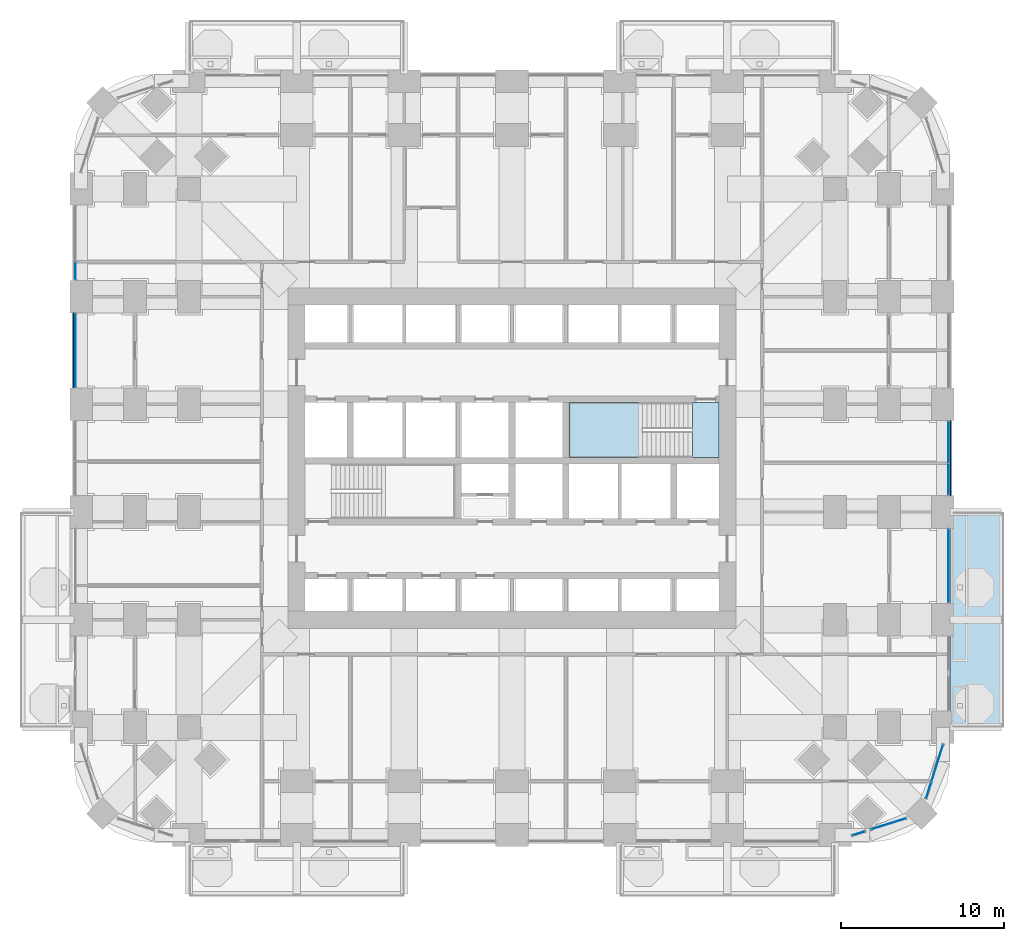
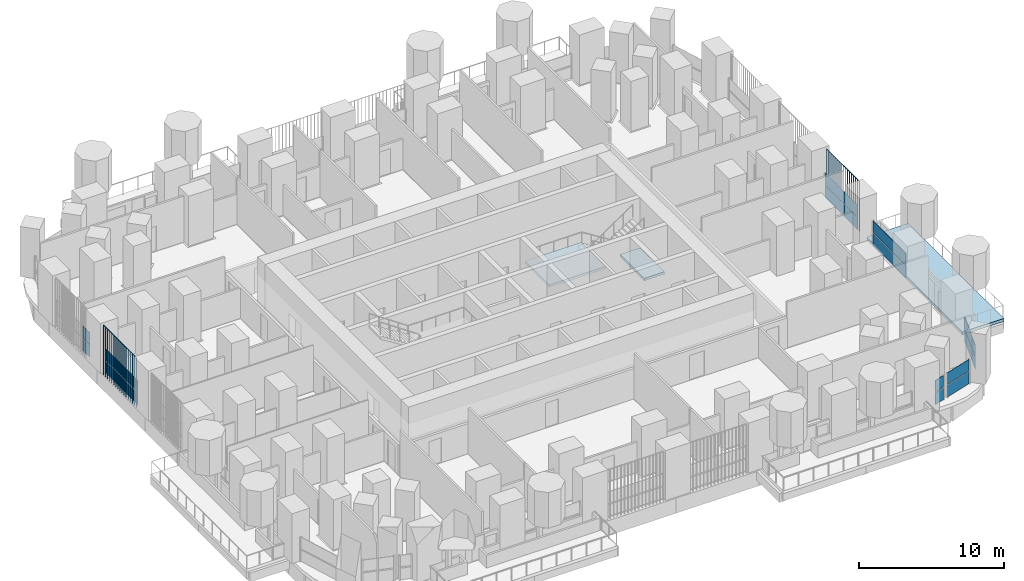
# One storey, part 13 of 27: 20 plates, 3 slabs, 8 elements without a shape of their own.
"""IFC4 building model written with IfcOpenShell, lengths in metres."""

from ifc_helpers import new_model, si_unit, direction, frame, origin, origin_2d, place, context, subcontext, project, spatial, polyline, rectangle, outline, extrude, material, layer, layer_set, type_object, element, aggregate, save


model = new_model("IFC4")

# Units and contexts
model_context = context("Model", 3, precision=1e-05, world=origin(), true_north=direction((0.0, 1.0)))
body_context = subcontext(model_context, "Body", "Model", "MODEL_VIEW")
ifc_project = project(units=[si_unit("LENGTHUNIT", "METRE"), si_unit("AREAUNIT", "SQUARE_METRE"), si_unit("VOLUMEUNIT", "CUBIC_METRE"), si_unit("PLANEANGLEUNIT", "RADIAN"), si_unit("MASSUNIT", "GRAM", prefix="KILO")], contexts=[model_context])

# Site, building, storey
site_placement = place(None, origin())
site = spatial("IfcSite", under=ifc_project, at=site_placement, CompositionType="ELEMENT")
building_placement = place(site_placement, origin())
building = spatial("IfcBuilding", under=site, at=building_placement, Name="Cobogo Forest Laboratory Tower", CompositionType="ELEMENT")
storey_placement = place(building_placement, frame((0.0, 0.0, 71.699951171875)))
storey = spatial("IfcBuildingStorey", under=building, at=storey_placement, Name="L16", CompositionType="ELEMENT", Elevation=71.699951171875)

# Slab
ifc_material_1 = material(Name="Concrete HA-40 (C40/50)", Category="concrete")
ifc_layer_1 = layer(ifc_material_1, 0.25)
ifc_layer_set_1 = layer_set([ifc_layer_1], Name="Balcony slab 250")
slab_type_1 = type_object("IfcSlabType", Name="Balcony slab 250", PredefinedType="FLOOR", material=ifc_layer_set_1)
slab_1_placement = place(storey_placement, frame((0.0, 0.0, -0.25)))
element("IfcSlab", 1, at=slab_1_placement, inside=storey, type_object=slab_type_1, Name="Balcony BAL-E1 L16", PredefinedType="FLOOR", context=body_context, shape_type="SweptSolid", body=[
    extrude(outline(polyline([(53.25, 6.60009765625), (56.550048828125, 6.60009765625), (56.550048828125, 19.800048828125), (53.25, 19.800048828125), (53.25, 6.60009765625)])), origin(), (0.0, 0.0, 1.0), 0.25),
])

# Curtain wall, plates
ifc_material_2 = material(Name="Aluminium curtain wall", Category="aluminium")
curtain_wall_type = type_object("IfcCurtainWallType", Name="CW-1 unitised curtain wall, clear glazing, laboratory floors zones A and B", PredefinedType="USERDEFINED", material=ifc_material_2)
curtain_wall_1_placement = place(storey_placement, origin())
curtain_wall_1 = element("IfcCurtainWall", 2, at=curtain_wall_1_placement, inside=storey, type_object=curtain_wall_type, Name="Curtain wall 07 L16", ObjectType="UNITISED CURTAIN WALL", PredefinedType="USERDEFINED")
ifc_material_3 = material(Name="Clear insulated glass", Category="glass")
ifc_layer_2 = layer(ifc_material_3, 0.028076171875)
ifc_layer_set_2 = layer_set([ifc_layer_2], Name="GP-1 clear insulated glass unit 28")
plate_type_1 = type_object("IfcPlateType", Name="GP-1 clear insulated glass unit 28", PredefinedType="CURTAIN_PANEL", material=ifc_layer_set_2)
plate_1_placement = place(storey_placement, frame((47.640869140625, 0.10498046875, 0.0), z_axis=(0.0, 0.0, 1.0), x_axis=(0.953581406818, 0.301135352577, 0.0)))
plate_1 = element("IfcPlate", 3, at=plate_1_placement, type_object=plate_type_1, Name="CW-1 panel 1.1", PredefinedType="CURTAIN_PANEL", context=body_context, shape_type="SweptSolid", body=[
    extrude(rectangle(XDim=0.804931640625, YDim=0.028076171875, at=origin_2d()), origin(), (0.0, 0.0, 1.0), 1.02001953125),
])
plate_2_placement = place(storey_placement, frame((47.640869140625, 0.10498046875, 1.080078125), z_axis=(0.0, 0.0, 1.0), x_axis=(0.953581406818, 0.301135352577, 0.0)))
plate_2 = element("IfcPlate", 4, at=plate_2_placement, type_object=plate_type_1, Name="CW-1 panel 1.2", PredefinedType="CURTAIN_PANEL", context=body_context, shape_type="SweptSolid", body=[
    extrude(rectangle(XDim=0.804931640625, YDim=0.028076171875, at=origin_2d()), origin(), (0.0, 0.0, 1.0), 0.969970703125),
])
aggregate(curtain_wall_1, [plate_1, plate_2])

curtain_wall_2_placement = place(storey_placement, origin())
curtain_wall_2 = element("IfcCurtainWall", 5, at=curtain_wall_2_placement, inside=storey, type_object=curtain_wall_type, Name="Curtain wall 08 L16", ObjectType="UNITISED CURTAIN WALL", PredefinedType="USERDEFINED")
plate_3_placement = place(storey_placement, frame((49.482177734375, 0.6865234375, 0.0), z_axis=(0.0, 0.0, 1.0), x_axis=(0.953581409645, 0.301135343623, 0.0)))
plate_3 = element("IfcPlate", 6, at=plate_3_placement, type_object=plate_type_1, Name="CW-1 panel 1.1", PredefinedType="CURTAIN_PANEL", context=body_context, shape_type="SweptSolid", body=[
    extrude(rectangle(XDim=2.203369140625, YDim=0.028076171875, at=origin_2d()), origin(), (0.0, 0.0, 1.0), 1.02001953125),
])
plate_4_placement = place(storey_placement, frame((49.482177734375, 0.6865234375, 1.080078125), z_axis=(0.0, 0.0, 1.0), x_axis=(0.953581409645, 0.301135343623, 0.0)))
plate_4 = element("IfcPlate", 7, at=plate_4_placement, type_object=plate_type_1, Name="CW-1 panel 1.2", PredefinedType="CURTAIN_PANEL", context=body_context, shape_type="SweptSolid", body=[
    extrude(rectangle(XDim=2.203369140625, YDim=0.028076171875, at=origin_2d()), origin(), (0.0, 0.0, 1.0), 0.969970703125),
])
aggregate(curtain_wall_2, [plate_3, plate_4])

curtain_wall_3_placement = place(storey_placement, origin())
curtain_wall_3 = element("IfcCurtainWall", 8, at=curtain_wall_3_placement, inside=storey, type_object=curtain_wall_type, Name="Curtain wall 09 L16", ObjectType="UNITISED CURTAIN WALL", PredefinedType="USERDEFINED")
plate_5_placement = place(storey_placement, frame((51.9365234375, 2.75732421875, 0.0), z_axis=(0.0, 0.0, 1.0), x_axis=(0.301135433696, 0.953581381201, 0.0)))
plate_5 = element("IfcPlate", 9, at=plate_5_placement, type_object=plate_type_1, Name="CW-1 panel 1.1", PredefinedType="CURTAIN_PANEL", context=body_context, shape_type="SweptSolid", body=[
    extrude(rectangle(XDim=1.027587890625, YDim=0.028076171875, at=origin_2d()), origin(), (0.0, 0.0, 1.0), 1.02001953125),
])
plate_6_placement = place(storey_placement, frame((51.9365234375, 2.75732421875, 1.080078125), z_axis=(0.0, 0.0, 1.0), x_axis=(0.301135433696, 0.953581381201, 0.0)))
plate_6 = element("IfcPlate", 10, at=plate_6_placement, type_object=plate_type_1, Name="CW-1 panel 1.2", PredefinedType="CURTAIN_PANEL", context=body_context, shape_type="SweptSolid", body=[
    extrude(rectangle(XDim=1.027587890625, YDim=0.028076171875, at=origin_2d()), origin(), (0.0, 0.0, 1.0), 0.969970703125),
])
plate_7_placement = place(storey_placement, frame((52.462646484375, 4.423583984375, 0.0), z_axis=(0.0, 0.0, 1.0), x_axis=(0.301135433696, 0.953581381201, 0.0)))
plate_7 = element("IfcPlate", 11, at=plate_7_placement, type_object=plate_type_1, Name="CW-1 panel 2.1", PredefinedType="CURTAIN_PANEL", context=body_context, shape_type="SweptSolid", body=[
    extrude(rectangle(XDim=2.34716796875, YDim=0.028076171875, at=origin_2d()), origin(), (0.0, 0.0, 1.0), 1.02001953125),
])
plate_8_placement = place(storey_placement, frame((52.462646484375, 4.423583984375, 1.080078125), z_axis=(0.0, 0.0, 1.0), x_axis=(0.301135433696, 0.953581381201, 0.0)))
plate_8 = element("IfcPlate", 12, at=plate_8_placement, type_object=plate_type_1, Name="CW-1 panel 2.2", PredefinedType="CURTAIN_PANEL", context=body_context, shape_type="SweptSolid", body=[
    extrude(rectangle(XDim=2.34716796875, YDim=0.028076171875, at=origin_2d()), origin(), (0.0, 0.0, 1.0), 0.969970703125),
])
aggregate(curtain_wall_3, [plate_5, plate_6, plate_7, plate_8])

curtain_wall_4_placement = place(storey_placement, origin())
curtain_wall_4 = element("IfcCurtainWall", 13, at=curtain_wall_4_placement, inside=storey, type_object=curtain_wall_type, Name="Curtain wall 11 L16", ObjectType="UNITISED CURTAIN WALL", PredefinedType="USERDEFINED")
plate_9_placement = place(storey_placement, frame((53.14990234375, 16.5, 0.0), z_axis=(0.0, 0.0, 1.0), x_axis=(0.0, 1.0, 0.0)))
plate_9 = element("IfcPlate", 14, at=plate_9_placement, type_object=plate_type_1, Name="CW-1 panel 1.1", PredefinedType="CURTAIN_PANEL", context=body_context, shape_type="SweptSolid", body=[
    extrude(rectangle(XDim=4.47998046875, YDim=0.028076171875, at=origin_2d()), origin(), (0.0, 0.0, 1.0), 1.02001953125),
])
plate_10_placement = place(storey_placement, frame((53.14990234375, 16.5, 1.080078125), z_axis=(0.0, 0.0, 1.0), x_axis=(0.0, 1.0, 0.0)))
plate_10 = element("IfcPlate", 15, at=plate_10_placement, type_object=plate_type_1, Name="CW-1 panel 1.2", PredefinedType="CURTAIN_PANEL", context=body_context, shape_type="SweptSolid", body=[
    extrude(rectangle(XDim=4.47998046875, YDim=0.028076171875, at=origin_2d()), origin(), (0.0, 0.0, 1.0), 0.969970703125),
])
aggregate(curtain_wall_4, [plate_9, plate_10])

curtain_wall_5_placement = place(storey_placement, origin())
curtain_wall_5 = element("IfcCurtainWall", 16, at=curtain_wall_5_placement, inside=storey, type_object=curtain_wall_type, Name="Curtain wall 12 L16", ObjectType="UNITISED CURTAIN WALL", PredefinedType="USERDEFINED")
plate_11_placement = place(storey_placement, frame((53.14990234375, 21.81494140625, 0.0), z_axis=(0.0, 0.0, 1.0), x_axis=(0.0, 1.0, 0.0)))
plate_11 = element("IfcPlate", 17, at=plate_11_placement, type_object=plate_type_1, Name="CW-1 panel 1.1", PredefinedType="CURTAIN_PANEL", context=body_context, shape_type="SweptSolid", body=[
    extrude(rectangle(XDim=1.909912109375, YDim=0.028076171875, at=origin_2d()), origin(), (0.0, 0.0, 1.0), 1.02001953125),
])
plate_12_placement = place(storey_placement, frame((53.14990234375, 21.81494140625, 1.080078125), z_axis=(0.0, 0.0, 1.0), x_axis=(0.0, 1.0, 0.0)))
plate_12 = element("IfcPlate", 18, at=plate_12_placement, type_object=plate_type_1, Name="CW-1 panel 1.2", PredefinedType="CURTAIN_PANEL", context=body_context, shape_type="SweptSolid", body=[
    extrude(rectangle(XDim=1.909912109375, YDim=0.028076171875, at=origin_2d()), origin(), (0.0, 0.0, 1.0), 0.969970703125),
])
plate_13_placement = place(storey_placement, frame((53.14990234375, 24.0849609375, 0.0), z_axis=(0.0, 0.0, 1.0), x_axis=(0.0, 1.0, 0.0)))
plate_13 = element("IfcPlate", 19, at=plate_13_placement, type_object=plate_type_1, Name="CW-1 panel 2.1", PredefinedType="CURTAIN_PANEL", context=body_context, shape_type="SweptSolid", body=[
    extrude(rectangle(XDim=2.510009765625, YDim=0.028076171875, at=origin_2d()), origin(), (0.0, 0.0, 1.0), 1.02001953125),
])
plate_14_placement = place(storey_placement, frame((53.14990234375, 24.0849609375, 1.080078125), z_axis=(0.0, 0.0, 1.0), x_axis=(0.0, 1.0, 0.0)))
plate_14 = element("IfcPlate", 20, at=plate_14_placement, type_object=plate_type_1, Name="CW-1 panel 2.2", PredefinedType="CURTAIN_PANEL", context=body_context, shape_type="SweptSolid", body=[
    extrude(rectangle(XDim=2.510009765625, YDim=0.028076171875, at=origin_2d()), origin(), (0.0, 0.0, 1.0), 0.969970703125),
])
aggregate(curtain_wall_5, [plate_11, plate_12, plate_13, plate_14])

curtain_wall_6_placement = place(storey_placement, origin())
curtain_wall_6 = element("IfcCurtainWall", 21, at=curtain_wall_6_placement, inside=storey, type_object=curtain_wall_type, Name="Curtain wall 27 L16", ObjectType="UNITISED CURTAIN WALL", PredefinedType="USERDEFINED")
plate_15_placement = place(storey_placement, frame((-0.35009765625, 34.577392578125, 0.0), z_axis=(0.0, 0.0, 1.0), x_axis=(0.0, -1.0, 0.0)))
plate_15 = element("IfcPlate", 22, at=plate_15_placement, type_object=plate_type_1, Name="CW-1 panel 2.1", PredefinedType="CURTAIN_PANEL", context=body_context, shape_type="SweptSolid", body=[
    extrude(rectangle(XDim=1.034912109375, YDim=0.028076171875, at=origin_2d()), origin(), (0.0, 0.0, 1.0), 1.02001953125),
])
plate_16_placement = place(storey_placement, frame((-0.35009765625, 34.577392578125, 1.080078125), z_axis=(0.0, 0.0, 1.0), x_axis=(0.0, -1.0, 0.0)))
plate_16 = element("IfcPlate", 23, at=plate_16_placement, type_object=plate_type_1, Name="CW-1 panel 2.2", PredefinedType="CURTAIN_PANEL", context=body_context, shape_type="SweptSolid", body=[
    extrude(rectangle(XDim=1.034912109375, YDim=0.028076171875, at=origin_2d()), origin(), (0.0, 0.0, 1.0), 0.969970703125),
])
aggregate(curtain_wall_6, [plate_15, plate_16])

curtain_wall_7_placement = place(storey_placement, origin())
curtain_wall_7 = element("IfcCurtainWall", 24, at=curtain_wall_7_placement, inside=storey, type_object=curtain_wall_type, Name="Curtain wall 28 L16", ObjectType="UNITISED CURTAIN WALL", PredefinedType="USERDEFINED")
plate_17_placement = place(storey_placement, frame((-0.35009765625, 29.699951171875, 0.0), z_axis=(0.0, 0.0, 1.0), x_axis=(0.0, -1.0, 0.0)))
plate_17 = element("IfcPlate", 25, at=plate_17_placement, type_object=plate_type_1, Name="CW-1 panel 1.1", PredefinedType="CURTAIN_PANEL", context=body_context, shape_type="SweptSolid", body=[
    extrude(rectangle(XDim=4.47998046875, YDim=0.028076171875, at=origin_2d()), origin(), (0.0, 0.0, 1.0), 1.02001953125),
])
plate_18_placement = place(storey_placement, frame((-0.35009765625, 29.699951171875, 1.080078125), z_axis=(0.0, 0.0, 1.0), x_axis=(0.0, -1.0, 0.0)))
plate_18 = element("IfcPlate", 26, at=plate_18_placement, type_object=plate_type_1, Name="CW-1 panel 1.2", PredefinedType="CURTAIN_PANEL", context=body_context, shape_type="SweptSolid", body=[
    extrude(rectangle(XDim=4.47998046875, YDim=0.028076171875, at=origin_2d()), origin(), (0.0, 0.0, 1.0), 0.969970703125),
])
aggregate(curtain_wall_7, [plate_17, plate_18])

# Stair, slabs
ifc_material_4 = material(Name="Precast concrete HA-40 (C40/50)", Category="concrete")
stair_type = type_object("IfcStairType", Name="ST24 exit stair 24 risers", PredefinedType="HALF_TURN_STAIR", material=ifc_material_4)
stair_placement = place(storey_placement, origin())
stair = element("IfcStair", 27, at=stair_placement, inside=storey, type_object=stair_type, Name="Stair 2 L16 to L17", PredefinedType="HALF_TURN_STAIR")
ifc_layer_3 = layer(ifc_material_1, 0.199951171875)
ifc_layer_set_3 = layer_set([ifc_layer_3], Name="SL stair landing 200")
slab_type_2 = type_object("IfcSlabType", Name="SL stair landing 200", PredefinedType="LANDING", material=ifc_layer_set_3)
slab_2_placement = place(storey_placement, frame((0.0, 0.0, -0.199951171875)))
slab_2 = element("IfcSlab", 28, at=slab_2_placement, type_object=slab_type_2, Name="ST2 landing 1", PredefinedType="LANDING", context=body_context, shape_type="SweptSolid", body=[
    extrude(outline(polyline([(37.472900390625, 23.14990234375), (39.074951171875, 23.14990234375), (39.074951171875, 26.5), (37.472900390625, 26.5), (37.472900390625, 23.14990234375)])), origin(), (0.0, 0.0, 1.0), 0.199951171875),
])
slab_3_placement = place(storey_placement, frame((0.0, 0.0, 1.900146484375)))
slab_3 = element("IfcSlab", 29, at=slab_3_placement, type_object=slab_type_2, Name="ST2 landing 2", PredefinedType="LANDING", context=body_context, shape_type="SweptSolid", body=[
    extrude(outline(polyline([(29.89990234375, 23.14990234375), (34.39697265625, 23.14990234375), (34.39697265625, 26.5), (29.89990234375, 26.5), (29.89990234375, 23.14990234375)])), origin(), (0.0, 0.0, 1.0), 0.199951171875),
])
aggregate(stair, [slab_2, slab_3])

# Plates
ifc_material_5 = material(Name="Terracotta", Category="masonry")
plate_type_2 = type_object("IfcPlateType", Name="TB1 terracotta baguette screen", PredefinedType="USERDEFINED", material=ifc_material_5)
plate_19_placement = place(storey_placement, frame((53.27783203125, 20.831298828125, -0.14990234375)))
element("IfcPlate", 30, at=plate_19_placement, inside=storey, type_object=plate_type_2, Name="Baguette screen E3 L16", ObjectType="BAGUETTE SCREEN", PredefinedType="USERDEFINED", context=body_context, shape_type="SweptSolid", body=[
    extrude(outline(polyline([(0.02880859375, 0.011962890625), (0.011962890625, 0.02880859375), (-0.011962890625, 0.02880859375), (-0.02880859375, 0.011962890625), (-0.02880859375, -0.011962890625), (-0.011962890625, -0.02880859375), (0.011962890625, -0.02880859375), (0.02880859375, -0.011962890625), (0.02880859375, 0.011962890625)])), frame((0.0, 0.0, 4.168701171875), z_axis=(0.0, 1.0, 0.0), x_axis=(-1.0, 0.0, 0.0)), (0.0, 0.0, 1.0), 4.537353515625),
    extrude(outline(polyline([(0.02880859375, 0.011962890625), (0.011962890625, 0.02880859375), (-0.011962890625, 0.02880859375), (-0.02880859375, 0.011962890625), (-0.02880859375, -0.011962890625), (-0.011962890625, -0.02880859375), (0.011962890625, -0.02880859375), (0.02880859375, -0.011962890625), (0.02880859375, 0.011962890625)])), origin(), (0.0, 0.0, 1.0), 4.137451171875),
    extrude(outline(polyline([(0.02880859375, 0.011962890625), (0.011962890625, 0.02880859375), (-0.011962890625, 0.02880859375), (-0.02880859375, 0.011962890625), (-0.02880859375, -0.011962890625), (-0.011962890625, -0.02880859375), (0.011962890625, -0.02880859375), (0.02880859375, -0.011962890625), (0.02880859375, 0.011962890625)])), frame((0.0, 0.28369140625, 0.0)), (0.0, 0.0, 1.0), 4.137451171875),
    extrude(outline(polyline([(0.02880859375, 0.011962890625), (0.011962890625, 0.02880859375), (-0.011962890625, 0.02880859375), (-0.02880859375, 0.011962890625), (-0.02880859375, -0.011962890625), (-0.011962890625, -0.02880859375), (0.011962890625, -0.02880859375), (0.02880859375, -0.011962890625), (0.02880859375, 0.011962890625)])), frame((0.0, 0.567138671875, 0.0)), (0.0, 0.0, 1.0), 4.137451171875),
    extrude(outline(polyline([(0.02880859375, 0.011962890625), (0.011962890625, 0.02880859375), (-0.011962890625, 0.02880859375), (-0.02880859375, 0.011962890625), (-0.02880859375, -0.011962890625), (-0.011962890625, -0.02880859375), (0.011962890625, -0.02880859375), (0.02880859375, -0.011962890625), (0.02880859375, 0.011962890625)])), frame((0.0, 0.850830078125, 0.0)), (0.0, 0.0, 1.0), 4.137451171875),
    extrude(outline(polyline([(0.02880859375, 0.011962890625), (0.011962890625, 0.02880859375), (-0.011962890625, 0.02880859375), (-0.02880859375, 0.011962890625), (-0.02880859375, -0.011962890625), (-0.011962890625, -0.02880859375), (0.011962890625, -0.02880859375), (0.02880859375, -0.011962890625), (0.02880859375, 0.011962890625)])), frame((0.0, 1.13427734375, 0.0)), (0.0, 0.0, 1.0), 4.137451171875),
    extrude(outline(polyline([(0.02880859375, 0.011962890625), (0.011962890625, 0.02880859375), (-0.011962890625, 0.02880859375), (-0.02880859375, 0.011962890625), (-0.02880859375, -0.011962890625), (-0.011962890625, -0.02880859375), (0.011962890625, -0.02880859375), (0.02880859375, -0.011962890625), (0.02880859375, 0.011962890625)])), frame((0.0, 1.41796875, 0.0)), (0.0, 0.0, 1.0), 4.137451171875),
    extrude(outline(polyline([(0.02880859375, 0.011962890625), (0.011962890625, 0.02880859375), (-0.011962890625, 0.02880859375), (-0.02880859375, 0.011962890625), (-0.02880859375, -0.011962890625), (-0.011962890625, -0.02880859375), (0.011962890625, -0.02880859375), (0.02880859375, -0.011962890625), (0.02880859375, 0.011962890625)])), frame((0.0, 1.701416015625, 0.0)), (0.0, 0.0, 1.0), 4.137451171875),
    extrude(outline(polyline([(0.02880859375, 0.011962890625), (0.011962890625, 0.02880859375), (-0.011962890625, 0.02880859375), (-0.02880859375, 0.011962890625), (-0.02880859375, -0.011962890625), (-0.011962890625, -0.02880859375), (0.011962890625, -0.02880859375), (0.02880859375, -0.011962890625), (0.02880859375, 0.011962890625)])), frame((0.0, 1.985107421875, 0.0)), (0.0, 0.0, 1.0), 4.137451171875),
    extrude(outline(polyline([(0.02880859375, 0.011962890625), (0.011962890625, 0.02880859375), (-0.011962890625, 0.02880859375), (-0.02880859375, 0.011962890625), (-0.02880859375, -0.011962890625), (-0.011962890625, -0.02880859375), (0.011962890625, -0.02880859375), (0.02880859375, -0.011962890625), (0.02880859375, 0.011962890625)])), frame((0.0, 2.2685546875, 0.0)), (0.0, 0.0, 1.0), 4.137451171875),
    extrude(outline(polyline([(0.02880859375, 0.011962890625), (0.011962890625, 0.02880859375), (-0.011962890625, 0.02880859375), (-0.02880859375, 0.011962890625), (-0.02880859375, -0.011962890625), (-0.011962890625, -0.02880859375), (0.011962890625, -0.02880859375), (0.02880859375, -0.011962890625), (0.02880859375, 0.011962890625)])), frame((0.0, 2.55224609375, 0.0)), (0.0, 0.0, 1.0), 4.137451171875),
    extrude(outline(polyline([(0.02880859375, 0.011962890625), (0.011962890625, 0.02880859375), (-0.011962890625, 0.02880859375), (-0.02880859375, 0.011962890625), (-0.02880859375, -0.011962890625), (-0.011962890625, -0.02880859375), (0.011962890625, -0.02880859375), (0.02880859375, -0.011962890625), (0.02880859375, 0.011962890625)])), frame((0.0, 2.8359375, 0.0)), (0.0, 0.0, 1.0), 4.137451171875),
    extrude(outline(polyline([(0.02880859375, 0.011962890625), (0.011962890625, 0.02880859375), (-0.011962890625, 0.02880859375), (-0.02880859375, 0.011962890625), (-0.02880859375, -0.011962890625), (-0.011962890625, -0.02880859375), (0.011962890625, -0.02880859375), (0.02880859375, -0.011962890625), (0.02880859375, 0.011962890625)])), frame((0.0, 3.119384765625, 0.0)), (0.0, 0.0, 1.0), 4.137451171875),
    extrude(outline(polyline([(0.02880859375, 0.011962890625), (0.011962890625, 0.02880859375), (-0.011962890625, 0.02880859375), (-0.02880859375, 0.011962890625), (-0.02880859375, -0.011962890625), (-0.011962890625, -0.02880859375), (0.011962890625, -0.02880859375), (0.02880859375, -0.011962890625), (0.02880859375, 0.011962890625)])), frame((0.0, 3.403076171875, 0.0)), (0.0, 0.0, 1.0), 4.137451171875),
    extrude(outline(polyline([(0.02880859375, 0.011962890625), (0.011962890625, 0.02880859375), (-0.011962890625, 0.02880859375), (-0.02880859375, 0.011962890625), (-0.02880859375, -0.011962890625), (-0.011962890625, -0.02880859375), (0.011962890625, -0.02880859375), (0.02880859375, -0.011962890625), (0.02880859375, 0.011962890625)])), frame((0.0, 3.6865234375, 0.0)), (0.0, 0.0, 1.0), 4.137451171875),
    extrude(outline(polyline([(0.02880859375, 0.011962890625), (0.011962890625, 0.02880859375), (-0.011962890625, 0.02880859375), (-0.02880859375, 0.011962890625), (-0.02880859375, -0.011962890625), (-0.011962890625, -0.02880859375), (0.011962890625, -0.02880859375), (0.02880859375, -0.011962890625), (0.02880859375, 0.011962890625)])), frame((0.0, 3.97021484375, 0.0)), (0.0, 0.0, 1.0), 4.137451171875),
    extrude(outline(polyline([(0.02880859375, 0.011962890625), (0.011962890625, 0.02880859375), (-0.011962890625, 0.02880859375), (-0.02880859375, 0.011962890625), (-0.02880859375, -0.011962890625), (-0.011962890625, -0.02880859375), (0.011962890625, -0.02880859375), (0.02880859375, -0.011962890625), (0.02880859375, 0.011962890625)])), frame((0.0, 4.253662109375, 0.0)), (0.0, 0.0, 1.0), 4.137451171875),
    extrude(outline(polyline([(0.02880859375, 0.011962890625), (0.011962890625, 0.02880859375), (-0.011962890625, 0.02880859375), (-0.02880859375, 0.011962890625), (-0.02880859375, -0.011962890625), (-0.011962890625, -0.02880859375), (0.011962890625, -0.02880859375), (0.02880859375, -0.011962890625), (0.02880859375, 0.011962890625)])), frame((0.0, 4.537353515625, 0.0)), (0.0, 0.0, 1.0), 4.137451171875),
])
plate_20_placement = place(storey_placement, frame((-0.477783203125, 27.43115234375, -0.14990234375)))
element("IfcPlate", 31, at=plate_20_placement, inside=storey, type_object=plate_type_2, Name="Baguette screen W4 L16", ObjectType="BAGUETTE SCREEN", PredefinedType="USERDEFINED", context=body_context, shape_type="SweptSolid", body=[
    extrude(outline(polyline([(0.02880859375, 0.011962890625), (0.011962890625, 0.02880859375), (-0.011962890625, 0.02880859375), (-0.02880859375, 0.011962890625), (-0.02880859375, -0.011962890625), (-0.011962890625, -0.02880859375), (0.011962890625, -0.02880859375), (0.02880859375, -0.011962890625), (0.02880859375, 0.011962890625)])), frame((0.0, 0.0, 4.168701171875), z_axis=(0.0, 1.0, 0.0), x_axis=(-1.0, 0.0, 0.0)), (0.0, 0.0, 1.0), 4.53759765625),
    extrude(outline(polyline([(0.02880859375, 0.011962890625), (0.011962890625, 0.02880859375), (-0.011962890625, 0.02880859375), (-0.02880859375, 0.011962890625), (-0.02880859375, -0.011962890625), (-0.011962890625, -0.02880859375), (0.011962890625, -0.02880859375), (0.02880859375, -0.011962890625), (0.02880859375, 0.011962890625)])), origin(), (0.0, 0.0, 1.0), 4.137451171875),
    extrude(outline(polyline([(0.02880859375, 0.011962890625), (0.011962890625, 0.02880859375), (-0.011962890625, 0.02880859375), (-0.02880859375, 0.011962890625), (-0.02880859375, -0.011962890625), (-0.011962890625, -0.02880859375), (0.011962890625, -0.02880859375), (0.02880859375, -0.011962890625), (0.02880859375, 0.011962890625)])), frame((0.0, 0.28369140625, 0.0)), (0.0, 0.0, 1.0), 4.137451171875),
    extrude(outline(polyline([(0.02880859375, 0.011962890625), (0.011962890625, 0.02880859375), (-0.011962890625, 0.02880859375), (-0.02880859375, 0.011962890625), (-0.02880859375, -0.011962890625), (-0.011962890625, -0.02880859375), (0.011962890625, -0.02880859375), (0.02880859375, -0.011962890625), (0.02880859375, 0.011962890625)])), frame((0.0, 0.567138671875, 0.0)), (0.0, 0.0, 1.0), 4.137451171875),
    extrude(outline(polyline([(0.02880859375, 0.011962890625), (0.011962890625, 0.02880859375), (-0.011962890625, 0.02880859375), (-0.02880859375, 0.011962890625), (-0.02880859375, -0.011962890625), (-0.011962890625, -0.02880859375), (0.011962890625, -0.02880859375), (0.02880859375, -0.011962890625), (0.02880859375, 0.011962890625)])), frame((0.0, 0.850830078125, 0.0)), (0.0, 0.0, 1.0), 4.137451171875),
    extrude(outline(polyline([(0.02880859375, 0.011962890625), (0.011962890625, 0.02880859375), (-0.011962890625, 0.02880859375), (-0.02880859375, 0.011962890625), (-0.02880859375, -0.011962890625), (-0.011962890625, -0.02880859375), (0.011962890625, -0.02880859375), (0.02880859375, -0.011962890625), (0.02880859375, 0.011962890625)])), frame((0.0, 1.13427734375, 0.0)), (0.0, 0.0, 1.0), 4.137451171875),
    extrude(outline(polyline([(0.02880859375, 0.011962890625), (0.011962890625, 0.02880859375), (-0.011962890625, 0.02880859375), (-0.02880859375, 0.011962890625), (-0.02880859375, -0.011962890625), (-0.011962890625, -0.02880859375), (0.011962890625, -0.02880859375), (0.02880859375, -0.011962890625), (0.02880859375, 0.011962890625)])), frame((0.0, 1.41796875, 0.0)), (0.0, 0.0, 1.0), 4.137451171875),
    extrude(outline(polyline([(0.02880859375, 0.011962890625), (0.011962890625, 0.02880859375), (-0.011962890625, 0.02880859375), (-0.02880859375, 0.011962890625), (-0.02880859375, -0.011962890625), (-0.011962890625, -0.02880859375), (0.011962890625, -0.02880859375), (0.02880859375, -0.011962890625), (0.02880859375, 0.011962890625)])), frame((0.0, 1.70166015625, 0.0)), (0.0, 0.0, 1.0), 4.137451171875),
    extrude(outline(polyline([(0.02880859375, 0.011962890625), (0.011962890625, 0.02880859375), (-0.011962890625, 0.02880859375), (-0.02880859375, 0.011962890625), (-0.02880859375, -0.011962890625), (-0.011962890625, -0.02880859375), (0.011962890625, -0.02880859375), (0.02880859375, -0.011962890625), (0.02880859375, 0.011962890625)])), frame((0.0, 1.985107421875, 0.0)), (0.0, 0.0, 1.0), 4.137451171875),
    extrude(outline(polyline([(0.02880859375, 0.011962890625), (0.011962890625, 0.02880859375), (-0.011962890625, 0.02880859375), (-0.02880859375, 0.011962890625), (-0.02880859375, -0.011962890625), (-0.011962890625, -0.02880859375), (0.011962890625, -0.02880859375), (0.02880859375, -0.011962890625), (0.02880859375, 0.011962890625)])), frame((0.0, 2.268798828125, 0.0)), (0.0, 0.0, 1.0), 4.137451171875),
    extrude(outline(polyline([(0.02880859375, 0.011962890625), (0.011962890625, 0.02880859375), (-0.011962890625, 0.02880859375), (-0.02880859375, 0.011962890625), (-0.02880859375, -0.011962890625), (-0.011962890625, -0.02880859375), (0.011962890625, -0.02880859375), (0.02880859375, -0.011962890625), (0.02880859375, 0.011962890625)])), frame((0.0, 2.552490234375, 0.0)), (0.0, 0.0, 1.0), 4.137451171875),
    extrude(outline(polyline([(0.02880859375, 0.011962890625), (0.011962890625, 0.02880859375), (-0.011962890625, 0.02880859375), (-0.02880859375, 0.011962890625), (-0.02880859375, -0.011962890625), (-0.011962890625, -0.02880859375), (0.011962890625, -0.02880859375), (0.02880859375, -0.011962890625), (0.02880859375, 0.011962890625)])), frame((0.0, 2.8359375, 0.0)), (0.0, 0.0, 1.0), 4.137451171875),
    extrude(outline(polyline([(0.02880859375, 0.011962890625), (0.011962890625, 0.02880859375), (-0.011962890625, 0.02880859375), (-0.02880859375, 0.011962890625), (-0.02880859375, -0.011962890625), (-0.011962890625, -0.02880859375), (0.011962890625, -0.02880859375), (0.02880859375, -0.011962890625), (0.02880859375, 0.011962890625)])), frame((0.0, 3.11962890625, 0.0)), (0.0, 0.0, 1.0), 4.137451171875),
    extrude(outline(polyline([(0.02880859375, 0.011962890625), (0.011962890625, 0.02880859375), (-0.011962890625, 0.02880859375), (-0.02880859375, 0.011962890625), (-0.02880859375, -0.011962890625), (-0.011962890625, -0.02880859375), (0.011962890625, -0.02880859375), (0.02880859375, -0.011962890625), (0.02880859375, 0.011962890625)])), frame((0.0, 3.4033203125, 0.0)), (0.0, 0.0, 1.0), 4.137451171875),
    extrude(outline(polyline([(0.02880859375, 0.011962890625), (0.011962890625, 0.02880859375), (-0.011962890625, 0.02880859375), (-0.02880859375, 0.011962890625), (-0.02880859375, -0.011962890625), (-0.011962890625, -0.02880859375), (0.011962890625, -0.02880859375), (0.02880859375, -0.011962890625), (0.02880859375, 0.011962890625)])), frame((0.0, 3.686767578125, 0.0)), (0.0, 0.0, 1.0), 4.137451171875),
    extrude(outline(polyline([(0.02880859375, 0.011962890625), (0.011962890625, 0.02880859375), (-0.011962890625, 0.02880859375), (-0.02880859375, 0.011962890625), (-0.02880859375, -0.011962890625), (-0.011962890625, -0.02880859375), (0.011962890625, -0.02880859375), (0.02880859375, -0.011962890625), (0.02880859375, 0.011962890625)])), frame((0.0, 3.970458984375, 0.0)), (0.0, 0.0, 1.0), 4.137451171875),
    extrude(outline(polyline([(0.02880859375, 0.011962890625), (0.011962890625, 0.02880859375), (-0.011962890625, 0.02880859375), (-0.02880859375, 0.011962890625), (-0.02880859375, -0.011962890625), (-0.011962890625, -0.02880859375), (0.011962890625, -0.02880859375), (0.02880859375, -0.011962890625), (0.02880859375, 0.011962890625)])), frame((0.0, 4.25390625, 0.0)), (0.0, 0.0, 1.0), 4.137451171875),
    extrude(outline(polyline([(0.02880859375, 0.011962890625), (0.011962890625, 0.02880859375), (-0.011962890625, 0.02880859375), (-0.02880859375, 0.011962890625), (-0.02880859375, -0.011962890625), (-0.011962890625, -0.02880859375), (0.011962890625, -0.02880859375), (0.02880859375, -0.011962890625), (0.02880859375, 0.011962890625)])), frame((0.0, 4.53759765625, 0.0)), (0.0, 0.0, 1.0), 4.137451171875),
])

save(model, "model.ifc")
